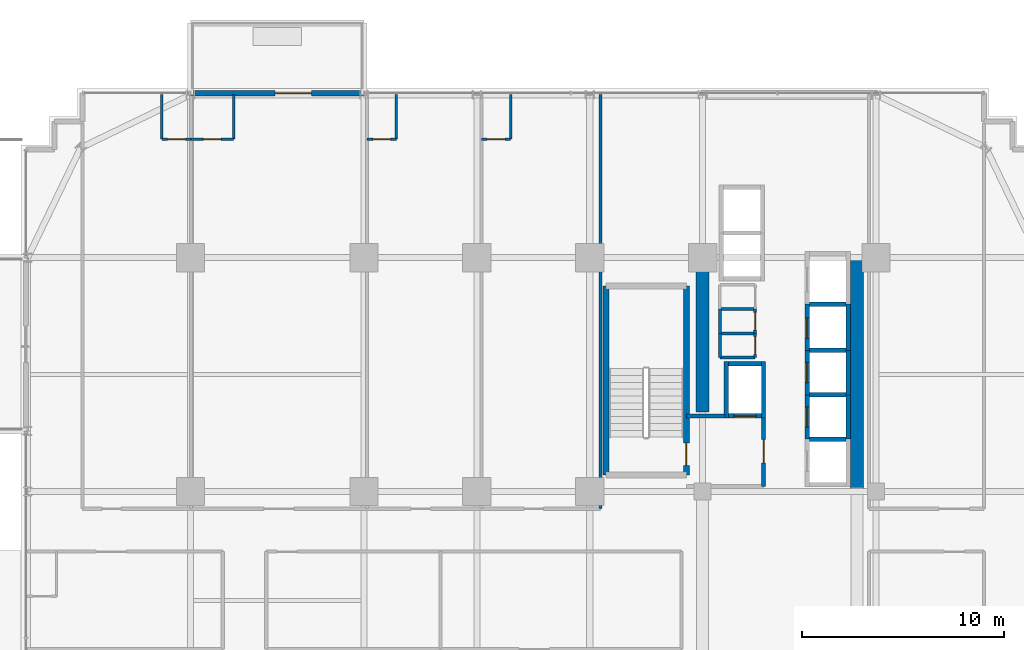
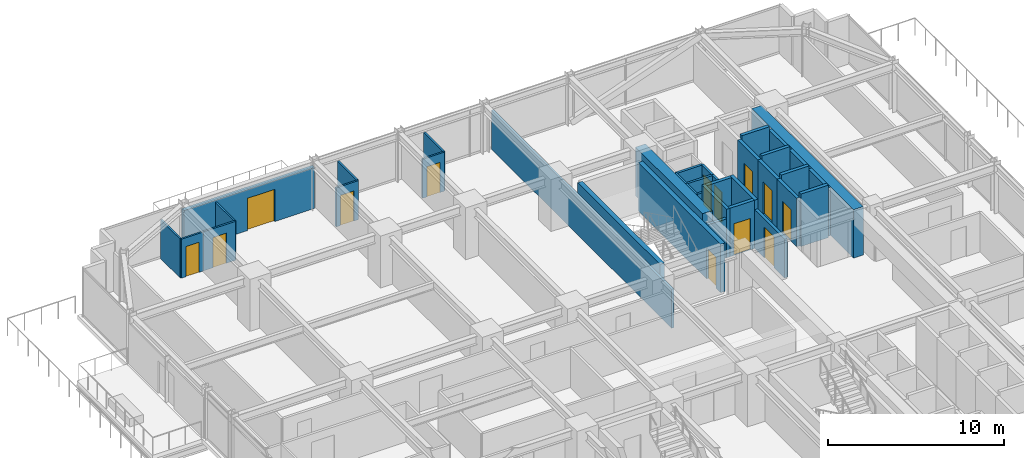
# One storey, part 32 of 39: 37 walls, 13 doors, 13 openings.
"""IFC4 building model written with IfcOpenShell, lengths in metres."""

from ifc_helpers import new_model, si_unit, direction, frame, frame_2d, origin, place, context, subcontext, project, spatial, rectangle, extrude, source, transform, mapped, material, layer, layer_set, type_object, element, fill, save


model = new_model("IFC4")

# Units and contexts
model_context = context("Model", 3, precision=1e-05, world=origin(), true_north=direction((0.0, 1.0)))
body_context = subcontext(model_context, "Body", "Model", "MODEL_VIEW")
ifc_project = project(units=[si_unit("LENGTHUNIT", "METRE"), si_unit("AREAUNIT", "SQUARE_METRE"), si_unit("VOLUMEUNIT", "CUBIC_METRE"), si_unit("PLANEANGLEUNIT", "RADIAN"), si_unit("MASSUNIT", "GRAM", prefix="KILO")], contexts=[model_context])

# Site, building, storey
site_placement = place(None, origin())
site = spatial("IfcSite", under=ifc_project, at=site_placement, CompositionType="ELEMENT")
building_placement = place(site_placement, origin())
building = spatial("IfcBuilding", under=site, at=building_placement, Name="Nahalor Promenade Grand Hotel", CompositionType="ELEMENT")
storey_placement = place(building_placement, frame((0.0, 0.0, 32.39990234375)))
storey = spatial("IfcBuildingStorey", under=building, at=storey_placement, Name="L06", CompositionType="ELEMENT", Elevation=32.39990234375)

# Walls
ifc_material_1 = material(Name="Concrete B-60 (C50/60)", Category="concrete")
ifc_layer_1 = layer(ifc_material_1, 0.64990234375)
ifc_layer_set_1 = layer_set([ifc_layer_1], Name="Concrete B-60 (C50/60)")
wall_type_1 = type_object("IfcWallType", Name="Wall-CoreShear-650", PredefinedType="SHEAR", material=ifc_layer_set_1)
shared_shape_1 = source(origin(), body_context, "Body", "SweptSolid", [
    extrude(rectangle(XDim=7.64990234375, YDim=0.64990234375, at=frame_2d((3.824951171875, 0.0))), origin(), (0.0, 0.0, 1.0), 3.3701171875),
])
wall_1_placement = place(storey_placement, frame((8.39990234375, 9.35009765625, 0.0), z_axis=(0.0, 0.0, 1.0), x_axis=(0.0, 1.0, 0.0)))
element("IfcWall", 1, at=wall_1_placement, inside=storey, type_object=wall_type_1, Name="CWALL-L06-NW", PredefinedType="SHEAR", context=body_context, shape_type="MappedRepresentation", body=[
    mapped(shared_shape_1, transform((0.0, 0.0, 0.0), scale=1.0)),
])
shared_shape_2 = source(origin(), body_context, "Body", "SweptSolid", [
    extrude(rectangle(XDim=11.60009765625, YDim=0.64990234375, at=frame_2d((5.800048828125, 0.0))), origin(), (0.0, 0.0, 1.0), 3.3701171875),
])
wall_2_placement = place(storey_placement, frame((16.050048828125, 5.39990234375, 0.0), z_axis=(0.0, 0.0, 1.0), x_axis=(0.0, 1.0, 0.0)))
element("IfcWall", 2, at=wall_2_placement, inside=storey, type_object=wall_type_1, Name="CWALL-L06-NE", PredefinedType="SHEAR", context=body_context, shape_type="MappedRepresentation", body=[
    mapped(shared_shape_2, transform((0.0, 0.0, 0.0), scale=1.0)),
])
ifc_material_2 = material(Name="Concrete B-50 (C40/50)", Category="concrete")
ifc_layer_2 = layer(ifc_material_2, 0.300048828125)
ifc_layer_set_2 = layer_set([ifc_layer_2], Name="Concrete B-50 (C40/50)")
wall_type_2 = type_object("IfcWallType", Name="Wall-ShaftShear-300", PredefinedType="SHEAR", material=ifc_layer_set_2)
shared_shape_3 = source(origin(), body_context, "Body", "SweptSolid", [
    extrude(rectangle(XDim=9.380126953125, YDim=0.300048828125, at=frame_2d((4.68994140625, 0.0))), origin(), (0.0, 0.0, 1.0), 3.3701171875),
])
wall_3_placement = place(storey_placement, frame((3.610107421875, 6.2099609375, 0.0), z_axis=(0.0, 0.0, 1.0), x_axis=(0.0, 1.0, 0.0)))
element("IfcWall", 3, at=wall_3_placement, inside=storey, type_object=wall_type_2, Name="L06 Exit Stair ST1 Shaft Wall W", PredefinedType="SHEAR", context=body_context, shape_type="MappedRepresentation", body=[
    mapped(shared_shape_3, transform((0.0, 0.0, 0.0), scale=1.0)),
])

# Wall, opening, door
wall_4_placement = place(storey_placement, frame((7.590087890625, 6.2099609375, 0.0), z_axis=(0.0, 0.0, 1.0), x_axis=(0.0, 1.0, 0.0)))
wall_4 = element("IfcWall", 4, at=wall_4_placement, inside=storey, type_object=wall_type_2, Name="L06 Exit Stair ST1 Shaft Wall E", PredefinedType="SHEAR", context=body_context, shape_type="MappedRepresentation", body=[
    mapped(shared_shape_3, transform((0.0, 0.0, 0.0), scale=1.0)),
])
opening_1_placement = place(wall_4_placement, frame((0.489990234375, 0.0, 0.0)))
opening_1 = element("IfcOpeningElement", 5, at=opening_1_placement, cuts=wall_4, Name="Opening D-ST1", PredefinedType="OPENING", context=body_context, shape_type="SweptSolid", body=[
    extrude(rectangle(XDim=1.10009765625, YDim=2.14990234375, at=frame_2d((0.550048828125, 1.074951171875))), frame((0.0, 0.159912109375, 0.0), z_axis=(0.0, -1.0, 0.0), x_axis=(1.0, 0.0, 0.0)), (0.0, 0.0, 1.0), 0.320068359375),
])
ifc_material_3 = material(Name="Steel S355JR", Category="steel")
door_type_1 = type_object("IfcDoorType", Name="Door-StairFire-1100", OperationType="NOTDEFINED", PredefinedType="DOOR", material=ifc_material_3)
shared_shape_4 = source(origin(), body_context, "Body", "SweptSolid", [
    extrude(rectangle(XDim=1.10009765625, YDim=2.14990234375, at=frame_2d((0.550048828125, 1.074951171875))), frame((0.0, 0.02490234375, 0.0), z_axis=(0.0, -1.0, 0.0), x_axis=(1.0, 0.0, 0.0)), (0.0, 0.0, 1.0), 0.050048828125),
])
door_1_placement = place(opening_1_placement, origin())
door_1 = element("IfcDoor", 6, at=door_1_placement, inside=storey, type_object=door_type_1, Name="DR-STAIR-ST1-L06", OperationType="SINGLE_SWING_LEFT", OverallHeight=2.14990234375, OverallWidth=1.10009765625, PredefinedType="DOOR", context=body_context, shape_type="MappedRepresentation", body=[
    mapped(shared_shape_4, transform((0.0, 0.0, 0.0), scale=1.0)),
])
fill(opening_1, door_1)

# Walls
ifc_layer_3 = layer(ifc_material_2, 0.219970703125)
ifc_layer_set_3 = layer_set([ifc_layer_3], Name="Concrete B-50 (C40/50)")
wall_type_3 = type_object("IfcWallType", Name="Wall-LiftShaft-220", PredefinedType="SHEAR", material=ifc_layer_set_3)
shared_shape_5 = source(origin(), body_context, "Body", "SweptSolid", [
    extrude(rectangle(XDim=1.820068359375, YDim=0.219970703125, at=frame_2d((0.91015625, 0.0))), origin(), (0.0, 0.0, 1.0), 3.650146484375),
])
for number, where, z_axis, x_axis, name in (
    (7, (13.68994140625, 8.0, 0.0), (0.0, 0.0, 1.0), (1.0, 0.0, 0.0), "L06 Lift PL1 Hoistway Wall N"),
    (8, (13.68994140625, 10.199951171875, 0.0), (0.0, 0.0, 1.0), (1.0, 0.0, 0.0), "L06 Lift PL2 Hoistway Wall N"),
    (9, (13.68994140625, 12.39990234375, 0.0), (0.0, 0.0, 1.0), (1.0, 0.0, 0.0), "L06 Lift PL3 Hoistway Wall N"),
    (10, (13.68994140625, 14.699951171875, 0.0), (0.0, 0.0, 1.0), (1.0, 0.0, 0.0), "L06 Lift PL4 Hoistway Wall N"),
):
    element("IfcWall", number, at=place(storey_placement, frame(where, z_axis=z_axis, x_axis=x_axis)), inside=storey, type_object=wall_type_3, Name=name, PredefinedType="SHEAR", context=body_context, shape_type="MappedRepresentation", body=[
        mapped(shared_shape_5, transform((0.0, 0.0, 0.0), scale=1.0)),
    ])

# Wall, opening, door
shared_shape_6 = source(origin(), body_context, "Body", "SweptSolid", [
    extrude(rectangle(XDim=2.199951171875, YDim=0.219970703125, at=frame_2d((1.10009765625, 0.0))), origin(), (0.0, 0.0, 1.0), 3.3701171875),
])
wall_5_placement = place(storey_placement, frame((13.580078125, 8.0, 0.0), z_axis=(0.0, 0.0, 1.0), x_axis=(0.0, 1.0, 0.0)))
wall_5 = element("IfcWall", 11, at=wall_5_placement, inside=storey, type_object=wall_type_3, Name="L06 Lift PL2 Hoistway Wall W", PredefinedType="SHEAR", context=body_context, shape_type="MappedRepresentation", body=[
    mapped(shared_shape_6, transform((0.0, 0.0, 0.0), scale=1.0)),
])
opening_2_placement = place(wall_5_placement, frame((0.60009765625, 0.0, 0.0)))
opening_2 = element("IfcOpeningElement", 12, at=opening_2_placement, cuts=wall_5, Name="Opening LD-01", PredefinedType="OPENING", context=body_context, shape_type="SweptSolid", body=[
    extrude(rectangle(XDim=1.0, YDim=2.199951171875, at=frame_2d((0.5, 1.10009765625))), frame((0.0, 0.119873046875, 0.0), z_axis=(0.0, -1.0, 0.0), x_axis=(1.0, 0.0, 0.0)), (0.0, 0.0, 1.0), 0.239990234375),
])
door_type_2 = type_object("IfcDoorType", Name="Door-LiftLanding-1000", OperationType="DOUBLE_DOOR_SLIDING", PredefinedType="DOOR", material=ifc_material_3)
shared_shape_7 = source(origin(), body_context, "Body", "SweptSolid", [
    extrude(rectangle(XDim=1.0, YDim=2.199951171875, at=frame_2d((0.5, 1.10009765625))), frame((0.0, 0.02490234375, 0.0), z_axis=(0.0, -1.0, 0.0), x_axis=(1.0, 0.0, 0.0)), (0.0, 0.0, 1.0), 0.050048828125),
])
door_2_placement = place(opening_2_placement, origin())
door_2 = element("IfcDoor", 13, at=door_2_placement, inside=storey, type_object=door_type_2, Name="DR-LIFT-PL2-L06", OperationType="DOUBLE_DOOR_SLIDING", OverallHeight=2.199951171875, OverallWidth=1.0, PredefinedType="DOOR", context=body_context, shape_type="MappedRepresentation", body=[
    mapped(shared_shape_7, transform((0.0, 0.0, 0.0), scale=1.0)),
])
fill(opening_2, door_2)

# Wall
wall_6_placement = place(storey_placement, frame((15.6201171875, 8.0, 0.0), z_axis=(0.0, 0.0, 1.0), x_axis=(0.0, 1.0, 0.0)))
element("IfcWall", 14, at=wall_6_placement, inside=storey, type_object=wall_type_3, Name="L06 Lift PL2 Hoistway Wall E", PredefinedType="SHEAR", context=body_context, shape_type="MappedRepresentation", body=[
    mapped(shared_shape_6, transform((0.0, 0.0, 0.0), scale=1.0)),
])

# Wall, opening, door
wall_7_placement = place(storey_placement, frame((13.580078125, 10.199951171875, 0.0), z_axis=(0.0, 0.0, 1.0), x_axis=(0.0, 1.0, 0.0)))
wall_7 = element("IfcWall", 15, at=wall_7_placement, inside=storey, type_object=wall_type_3, Name="L06 Lift PL3 Hoistway Wall W", PredefinedType="SHEAR", context=body_context, shape_type="MappedRepresentation", body=[
    mapped(shared_shape_6, transform((0.0, 0.0, 0.0), scale=1.0)),
])
opening_3_placement = place(wall_7_placement, frame((0.60009765625, 0.0, 0.0)))
opening_3 = element("IfcOpeningElement", 16, at=opening_3_placement, cuts=wall_7, Name="Opening LD-01", PredefinedType="OPENING", context=body_context, shape_type="SweptSolid", body=[
    extrude(rectangle(XDim=1.0, YDim=2.199951171875, at=frame_2d((0.5, 1.10009765625))), frame((0.0, 0.119873046875, 0.0), z_axis=(0.0, -1.0, 0.0), x_axis=(1.0, 0.0, 0.0)), (0.0, 0.0, 1.0), 0.239990234375),
])
door_3_placement = place(opening_3_placement, origin())
door_3 = element("IfcDoor", 17, at=door_3_placement, inside=storey, type_object=door_type_2, Name="DR-LIFT-PL3-L06", OperationType="DOUBLE_DOOR_SLIDING", OverallHeight=2.199951171875, OverallWidth=1.0, PredefinedType="DOOR", context=body_context, shape_type="MappedRepresentation", body=[
    mapped(shared_shape_7, transform((0.0, 0.0, 0.0), scale=1.0)),
])
fill(opening_3, door_3)

# Wall
wall_8_placement = place(storey_placement, frame((15.6201171875, 10.199951171875, 0.0), z_axis=(0.0, 0.0, 1.0), x_axis=(0.0, 1.0, 0.0)))
element("IfcWall", 18, at=wall_8_placement, inside=storey, type_object=wall_type_3, Name="L06 Lift PL3 Hoistway Wall E", PredefinedType="SHEAR", context=body_context, shape_type="MappedRepresentation", body=[
    mapped(shared_shape_6, transform((0.0, 0.0, 0.0), scale=1.0)),
])

# Wall, opening, door
shared_shape_8 = source(origin(), body_context, "Body", "SweptSolid", [
    extrude(rectangle(XDim=2.300048828125, YDim=0.219970703125, at=frame_2d((1.14990234375, 0.0))), origin(), (0.0, 0.0, 1.0), 3.3701171875),
])
wall_9_placement = place(storey_placement, frame((13.580078125, 12.39990234375, 0.0), z_axis=(0.0, 0.0, 1.0), x_axis=(0.0, 1.0, 0.0)))
wall_9 = element("IfcWall", 19, at=wall_9_placement, inside=storey, type_object=wall_type_3, Name="L06 Lift PL4 Hoistway Wall W", PredefinedType="SHEAR", context=body_context, shape_type="MappedRepresentation", body=[
    mapped(shared_shape_8, transform((0.0, 0.0, 0.0), scale=1.0)),
])
opening_4_placement = place(wall_9_placement, frame((0.60009765625, 0.0, 0.0)))
opening_4 = element("IfcOpeningElement", 20, at=opening_4_placement, cuts=wall_9, Name="Opening LD-01", PredefinedType="OPENING", context=body_context, shape_type="SweptSolid", body=[
    extrude(rectangle(XDim=1.0, YDim=2.199951171875, at=frame_2d((0.5, 1.10009765625))), frame((0.0, 0.119873046875, 0.0), z_axis=(0.0, -1.0, 0.0), x_axis=(1.0, 0.0, 0.0)), (0.0, 0.0, 1.0), 0.239990234375),
])
door_4_placement = place(opening_4_placement, origin())
door_4 = element("IfcDoor", 21, at=door_4_placement, inside=storey, type_object=door_type_2, Name="DR-LIFT-PL4-L06", OperationType="DOUBLE_DOOR_SLIDING", OverallHeight=2.199951171875, OverallWidth=1.0, PredefinedType="DOOR", context=body_context, shape_type="MappedRepresentation", body=[
    mapped(shared_shape_7, transform((0.0, 0.0, 0.0), scale=1.0)),
])
fill(opening_4, door_4)

# Walls
wall_10_placement = place(storey_placement, frame((15.6201171875, 12.39990234375, 0.0), z_axis=(0.0, 0.0, 1.0), x_axis=(0.0, 1.0, 0.0)))
element("IfcWall", 22, at=wall_10_placement, inside=storey, type_object=wall_type_3, Name="L06 Lift PL4 Hoistway Wall E", PredefinedType="SHEAR", context=body_context, shape_type="MappedRepresentation", body=[
    mapped(shared_shape_8, transform((0.0, 0.0, 0.0), scale=1.0)),
])
shared_shape_9 = source(origin(), body_context, "Body", "SweptSolid", [
    extrude(rectangle(XDim=2.820068359375, YDim=0.219970703125, at=frame_2d((1.41015625, 0.0))), origin(), (0.0, 0.0, 1.0), 3.3701171875),
])
for number, where, z_axis, x_axis, name in (
    (23, (9.580078125, 9.0400390625, 0.0), (0.0, 0.0, 1.0), (0.0, 1.0, 0.0), "L06 Lift FL1 Hoistway Wall W"),
    (24, (11.419921875, 9.0400390625, 0.0), (0.0, 0.0, 1.0), (0.0, 1.0, 0.0), "L06 Lift FL1 Hoistway Wall E"),
):
    element("IfcWall", number, at=place(storey_placement, frame(where, z_axis=z_axis, x_axis=x_axis)), inside=storey, type_object=wall_type_3, Name=name, PredefinedType="SHEAR", context=body_context, shape_type="MappedRepresentation", body=[
        mapped(shared_shape_9, transform((0.0, 0.0, 0.0), scale=1.0)),
    ])

# Wall, opening, door
shared_shape_10 = source(origin(), body_context, "Body", "SweptSolid", [
    extrude(rectangle(XDim=1.6201171875, YDim=0.219970703125, at=frame_2d((0.81005859375, 0.0))), origin(), (0.0, 0.0, 1.0), 3.3701171875),
])
wall_11_placement = place(storey_placement, frame((9.68994140625, 9.14990234375, 0.0), z_axis=(0.0, 0.0, 1.0), x_axis=(1.0, 0.0, 0.0)))
wall_11 = element("IfcWall", 25, at=wall_11_placement, inside=storey, type_object=wall_type_3, Name="L06 Lift FL1 Hoistway Wall S", PredefinedType="SHEAR", context=body_context, shape_type="MappedRepresentation", body=[
    mapped(shared_shape_10, transform((0.0, 0.0, 0.0), scale=1.0)),
])
opening_5_placement = place(wall_11_placement, frame((0.260009765625, 0.0, 0.0)))
opening_5 = element("IfcOpeningElement", 26, at=opening_5_placement, cuts=wall_11, Name="Opening LD-02", PredefinedType="OPENING", context=body_context, shape_type="SweptSolid", body=[
    extrude(rectangle(XDim=1.10009765625, YDim=2.199951171875, at=frame_2d((0.550048828125, 1.10009765625))), frame((0.0, 0.119873046875, 0.0), z_axis=(0.0, -1.0, 0.0), x_axis=(1.0, 0.0, 0.0)), (0.0, 0.0, 1.0), 0.239990234375),
])
door_type_3 = type_object("IfcDoorType", Name="Door-LiftFF-1100", OperationType="DOUBLE_DOOR_SLIDING", PredefinedType="DOOR", material=ifc_material_3)
shared_shape_11 = source(origin(), body_context, "Body", "SweptSolid", [
    extrude(rectangle(XDim=1.10009765625, YDim=2.199951171875, at=frame_2d((0.550048828125, 1.10009765625))), frame((0.0, 0.02490234375, 0.0), z_axis=(0.0, -1.0, 0.0), x_axis=(1.0, 0.0, 0.0)), (0.0, 0.0, 1.0), 0.050048828125),
])
door_5_placement = place(opening_5_placement, frame((1.10009765625, 0.0, 0.0), z_axis=(0.0, 0.0, 1.0), x_axis=(-1.0, 0.0, 0.0)))
door_5 = element("IfcDoor", 27, at=door_5_placement, inside=storey, type_object=door_type_3, Name="DR-LIFT-FL1-L06", OperationType="DOUBLE_DOOR_SLIDING", OverallHeight=2.199951171875, OverallWidth=1.10009765625, PredefinedType="DOOR", context=body_context, shape_type="MappedRepresentation", body=[
    mapped(shared_shape_11, transform((0.0, 0.0, 0.0), scale=1.0)),
])
fill(opening_5, door_5)

# Wall
wall_12_placement = place(storey_placement, frame((9.68994140625, 11.75, 0.0), z_axis=(0.0, 0.0, 1.0), x_axis=(1.0, 0.0, 0.0)))
element("IfcWall", 28, at=wall_12_placement, inside=storey, type_object=wall_type_3, Name="L06 Lift FL1 Hoistway Wall N", PredefinedType="SHEAR", context=body_context, shape_type="MappedRepresentation", body=[
    mapped(shared_shape_10, transform((0.0, 0.0, 0.0), scale=1.0)),
])

# Wall, opening, door
ifc_material_4 = material(Name="Concrete B-40 (C32/40)", Category="concrete")
ifc_layer_4 = layer(ifc_material_4, 0.260009765625)
ifc_layer_set_4 = layer_set([ifc_layer_4], Name="Concrete B-40 (C32/40)")
wall_type_4 = type_object("IfcWallType", Name="Wall-BalconyWall-260", PredefinedType="STANDARD", material=ifc_layer_set_4)
shared_shape_12 = source(origin(), body_context, "Body", "SweptSolid", [
    extrude(rectangle(XDim=8.60009765625, YDim=0.260009765625, at=frame_2d((4.300048828125, 0.0))), origin(), (0.0, 0.0, 1.0), 2.85009765625),
])
wall_13_placement = place(storey_placement, frame((-17.0, 25.159912109375, 0.0), z_axis=(0.0, 0.0, 1.0), x_axis=(1.0, 0.0, 0.0)))
wall_13 = element("IfcWall", 29, at=wall_13_placement, inside=storey, type_object=wall_type_4, Name="W-L06-BALC-N-2", PredefinedType="STANDARD", context=body_context, shape_type="MappedRepresentation", body=[
    mapped(shared_shape_12, transform((0.0, 0.0, 0.0), scale=1.0)),
])
opening_6_placement = place(wall_13_placement, frame((4.19091796875, 0.0, 0.0)))
opening_6 = element("IfcOpeningElement", 30, at=opening_6_placement, cuts=wall_13, Name="Opening D-BC1", PredefinedType="OPENING", context=body_context, shape_type="SweptSolid", body=[
    extrude(rectangle(XDim=1.800048828125, YDim=2.25, at=frame_2d((0.89990234375, 1.125))), frame((0.0, 0.139892578125, 0.0), z_axis=(0.0, -1.0, 0.0), x_axis=(1.0, 0.0, 0.0)), (0.0, 0.0, 1.0), 0.280029296875),
])
ifc_material_5 = material(Name="Anodised Bronze Aluminium EN AW-6063 T6", Category="aluminium")
door_type_4 = type_object("IfcDoorType", Name="Door-BalconySlide-1800", OperationType="DOUBLE_DOOR_SLIDING", PredefinedType="DOOR", material=ifc_material_5)
shared_shape_13 = source(origin(), body_context, "Body", "SweptSolid", [
    extrude(rectangle(XDim=1.800048828125, YDim=2.25, at=frame_2d((0.89990234375, 1.125))), frame((0.0, 0.02490234375, 0.0), z_axis=(0.0, -1.0, 0.0), x_axis=(1.0, 0.0, 0.0)), (0.0, 0.0, 1.0), 0.050048828125),
])
door_6_placement = place(opening_6_placement, origin())
door_6 = element("IfcDoor", 31, at=door_6_placement, inside=storey, type_object=door_type_4, Name="DR-L06-BALC-N-2", OperationType="DOUBLE_DOOR_SLIDING", OverallHeight=2.25, OverallWidth=1.800048828125, PredefinedType="DOOR", context=body_context, shape_type="MappedRepresentation", body=[
    mapped(shared_shape_13, transform((0.0, 0.0, 0.0), scale=1.0)),
])
fill(opening_6, door_6)

# Wall
ifc_layer_5 = layer(ifc_material_4, 0.199951171875)
ifc_layer_set_5 = layer_set([ifc_layer_5], Name="Concrete B-40 (C32/40)")
wall_type_5 = type_object("IfcWallType", Name="Wall-PartFire-200", PredefinedType="PARTITIONING", material=ifc_layer_set_5)
shared_shape_14 = source(origin(), body_context, "Body", "SweptSolid", [
    extrude(rectangle(XDim=1.89990234375, YDim=0.199951171875, at=frame_2d((0.949951171875, 0.0))), origin(), (0.0, 0.0, 1.0), 2.710205078125),
])
wall_14_placement = place(storey_placement, frame((7.60009765625, 9.14990234375, 0.0), z_axis=(0.0, 0.0, 1.0), x_axis=(1.0, 0.0, 0.0)))
element("IfcWall", 32, at=wall_14_placement, inside=storey, type_object=wall_type_5, Name="W-L06-FF1-N", PredefinedType="PARTITIONING", context=body_context, shape_type="MappedRepresentation", body=[
    mapped(shared_shape_14, transform((0.0, 0.0, 0.0), scale=1.0)),
])

# Wall, opening, door
shared_shape_15 = source(origin(), body_context, "Body", "SweptSolid", [
    extrude(rectangle(XDim=3.5, YDim=0.199951171875, at=frame_2d((1.75, 0.0))), origin(), (0.0, 0.0, 1.0), 2.710205078125),
])
wall_15_placement = place(storey_placement, frame((11.419921875, 5.64990234375, 0.0), z_axis=(0.0, 0.0, 1.0), x_axis=(0.0, 1.0, 0.0)))
wall_15 = element("IfcWall", 33, at=wall_15_placement, inside=storey, type_object=wall_type_5, Name="W-L06-FF1-E", PredefinedType="PARTITIONING", context=body_context, shape_type="MappedRepresentation", body=[
    mapped(shared_shape_15, transform((0.0, 0.0, 0.0), scale=1.0)),
])
opening_7_placement = place(wall_15_placement, frame((1.175048828125, 0.0, 0.0)))
opening_7 = element("IfcOpeningElement", 34, at=opening_7_placement, cuts=wall_15, Name="Opening D-FF1", PredefinedType="OPENING", context=body_context, shape_type="SweptSolid", body=[
    extrude(rectangle(XDim=1.14990234375, YDim=2.14990234375, at=frame_2d((0.574951171875, 1.074951171875))), frame((0.0, 0.10986328125, 0.0), z_axis=(0.0, -1.0, 0.0), x_axis=(1.0, 0.0, 0.0)), (0.0, 0.0, 1.0), 0.219970703125),
])
door_type_5 = type_object("IfcDoorType", Name="Door-FFLobby-1150", OperationType="NOTDEFINED", PredefinedType="DOOR", material=ifc_material_3)
shared_shape_16 = source(origin(), body_context, "Body", "SweptSolid", [
    extrude(rectangle(XDim=1.14990234375, YDim=2.14990234375, at=frame_2d((0.574951171875, 1.074951171875))), frame((0.0, 0.02490234375, 0.0), z_axis=(0.0, -1.0, 0.0), x_axis=(1.0, 0.0, 0.0)), (0.0, 0.0, 1.0), 0.050048828125),
])
door_7_placement = place(opening_7_placement, frame((1.14990234375, 0.0, 0.0), z_axis=(0.0, 0.0, 1.0), x_axis=(-1.0, 0.0, 0.0)))
door_7 = element("IfcDoor", 35, at=door_7_placement, inside=storey, type_object=door_type_5, Name="DR-L06-FFL1", OperationType="SINGLE_SWING_LEFT", OverallHeight=2.14990234375, OverallWidth=1.14990234375, PredefinedType="DOOR", context=body_context, shape_type="MappedRepresentation", body=[
    mapped(shared_shape_16, transform((0.0, 0.0, 0.0), scale=1.0)),
])
fill(opening_7, door_7)

# Walls
ifc_material_6 = material(Name="Acoustic Mineral Gypsum", Category="gypsum")
ifc_layer_6 = layer(ifc_material_6, 0.14990234375)
ifc_layer_set_6 = layer_set([ifc_layer_6], Name="Acoustic Mineral Gypsum")
wall_type_6 = type_object("IfcWallType", Name="Wall-PartService-150", PredefinedType="PARTITIONING", material=ifc_layer_set_6)
shared_shape_17 = source(origin(), body_context, "Body", "SweptSolid", [
    extrude(rectangle(XDim=1.75, YDim=0.14990234375, at=frame_2d((0.875, 0.0))), origin(), (0.0, 0.0, 1.0), 2.710205078125),
])
for number, where, z_axis, x_axis, name in (
    (36, (9.25, 12.050048828125, 0.0), (0.0, 0.0, 1.0), (1.0, 0.0, 0.0), "W-L06-CK3A-S"),
    (37, (9.25, 13.25, 0.0), (0.0, 0.0, 1.0), (1.0, 0.0, 0.0), "W-L06-CK3A-N"),
    (38, (9.25, 14.449951171875, 0.0), (0.0, 0.0, 1.0), (1.0, 0.0, 0.0), "W-L06-CK3B-N"),
):
    element("IfcWall", number, at=place(storey_placement, frame(where, z_axis=z_axis, x_axis=x_axis)), inside=storey, type_object=wall_type_6, Name=name, PredefinedType="PARTITIONING", context=body_context, shape_type="MappedRepresentation", body=[
        mapped(shared_shape_17, transform((0.0, 0.0, 0.0), scale=1.0)),
    ])
shared_shape_18 = source(origin(), body_context, "Body", "SweptSolid", [
    extrude(rectangle(XDim=1.199951171875, YDim=0.14990234375, at=frame_2d((0.60009765625, 0.0))), origin(), (0.0, 0.0, 1.0), 2.710205078125),
])
wall_16_placement = place(storey_placement, frame((9.25, 12.050048828125, 0.0), z_axis=(0.0, 0.0, 1.0), x_axis=(0.0, 1.0, 0.0)))
element("IfcWall", 39, at=wall_16_placement, inside=storey, type_object=wall_type_6, Name="W-L06-CK3A-W", PredefinedType="PARTITIONING", context=body_context, shape_type="MappedRepresentation", body=[
    mapped(shared_shape_18, transform((0.0, 0.0, 0.0), scale=1.0)),
])

# Wall, opening, door
wall_17_placement = place(storey_placement, frame((11.0, 12.050048828125, 0.0), z_axis=(0.0, 0.0, 1.0), x_axis=(0.0, 1.0, 0.0)))
wall_17 = element("IfcWall", 40, at=wall_17_placement, inside=storey, type_object=wall_type_6, Name="W-L06-CK3A-E", PredefinedType="PARTITIONING", context=body_context, shape_type="MappedRepresentation", body=[
    mapped(shared_shape_18, transform((0.0, 0.0, 0.0), scale=1.0)),
])
opening_8_placement = place(wall_17_placement, frame((0.159912109375, 0.0, 0.0)))
opening_8 = element("IfcOpeningElement", 41, at=opening_8_placement, cuts=wall_17, Name="Opening D-03", PredefinedType="OPENING", context=body_context, shape_type="SweptSolid", body=[
    extrude(rectangle(XDim=0.8798828125, YDim=2.10009765625, at=frame_2d((0.43994140625, 1.050048828125))), frame((0.0, 0.0849609375, 0.0), z_axis=(0.0, -1.0, 0.0), x_axis=(1.0, 0.0, 0.0)), (0.0, 0.0, 1.0), 0.169921875),
])
ifc_material_7 = material(Name="Fire-Rated Timber Composite", Category="wood")
door_type_6 = type_object("IfcDoorType", Name="Door-BathSwing-880", OperationType="NOTDEFINED", PredefinedType="DOOR", material=ifc_material_7)
shared_shape_19 = source(origin(), body_context, "Body", "SweptSolid", [
    extrude(rectangle(XDim=0.8798828125, YDim=2.10009765625, at=frame_2d((0.43994140625, 1.050048828125))), frame((0.0, 0.02490234375, 0.0), z_axis=(0.0, -1.0, 0.0), x_axis=(1.0, 0.0, 0.0)), (0.0, 0.0, 1.0), 0.050048828125),
])
door_8_placement = place(opening_8_placement, origin())
door_8 = element("IfcDoor", 42, at=door_8_placement, inside=storey, type_object=door_type_6, Name="DR-L06-CK3A", OperationType="SINGLE_SWING_LEFT", OverallHeight=2.10009765625, OverallWidth=0.8798828125, PredefinedType="DOOR", context=body_context, shape_type="MappedRepresentation", body=[
    mapped(shared_shape_19, transform((0.0, 0.0, 0.0), scale=1.0)),
])
fill(opening_8, door_8)

# Wall
wall_18_placement = place(storey_placement, frame((9.25, 13.25, 0.0), z_axis=(0.0, 0.0, 1.0), x_axis=(0.0, 1.0, 0.0)))
element("IfcWall", 43, at=wall_18_placement, inside=storey, type_object=wall_type_6, Name="W-L06-CK3B-W", PredefinedType="PARTITIONING", context=body_context, shape_type="MappedRepresentation", body=[
    mapped(shared_shape_18, transform((0.0, 0.0, 0.0), scale=1.0)),
])

# Wall, opening, door
wall_19_placement = place(storey_placement, frame((11.0, 13.25, 0.0), z_axis=(0.0, 0.0, 1.0), x_axis=(0.0, 1.0, 0.0)))
wall_19 = element("IfcWall", 44, at=wall_19_placement, inside=storey, type_object=wall_type_6, Name="W-L06-CK3B-E", PredefinedType="PARTITIONING", context=body_context, shape_type="MappedRepresentation", body=[
    mapped(shared_shape_18, transform((0.0, 0.0, 0.0), scale=1.0)),
])
opening_9_placement = place(wall_19_placement, frame((0.159912109375, 0.0, 0.0)))
opening_9 = element("IfcOpeningElement", 45, at=opening_9_placement, cuts=wall_19, Name="Opening D-03", PredefinedType="OPENING", context=body_context, shape_type="SweptSolid", body=[
    extrude(rectangle(XDim=0.8798828125, YDim=2.10009765625, at=frame_2d((0.43994140625, 1.050048828125))), frame((0.0, 0.0849609375, 0.0), z_axis=(0.0, -1.0, 0.0), x_axis=(1.0, 0.0, 0.0)), (0.0, 0.0, 1.0), 0.169921875),
])
door_9_placement = place(opening_9_placement, origin())
door_9 = element("IfcDoor", 46, at=door_9_placement, inside=storey, type_object=door_type_6, Name="DR-L06-CK3B", OperationType="SINGLE_SWING_RIGHT", OverallHeight=2.10009765625, OverallWidth=0.8798828125, PredefinedType="DOOR", context=body_context, shape_type="MappedRepresentation", body=[
    mapped(shared_shape_19, transform((0.0, 0.0, 0.0), scale=1.0)),
])
fill(opening_9, door_9)

# Wall
ifc_layer_7 = layer(ifc_material_6, 0.139892578125)
ifc_layer_set_7 = layer_set([ifc_layer_7], Name="Acoustic Mineral Gypsum")
wall_type_7 = type_object("IfcWallType", Name="Wall-PartSuite-140", PredefinedType="PARTITIONING", material=ifc_layer_set_7)
shared_shape_20 = source(origin(), body_context, "Body", "SweptSolid", [
    extrude(rectangle(XDim=20.550048828125, YDim=0.139892578125, at=frame_2d((10.27490234375, 0.0))), origin(), (0.0, 0.0, 1.0), 2.710205078125),
])
wall_20_placement = place(storey_placement, frame((3.340087890625, 4.550048828125, 0.0), z_axis=(0.0, 0.0, 1.0), x_axis=(0.0, 1.0, 0.0)))
element("IfcWall", 47, at=wall_20_placement, inside=storey, type_object=wall_type_7, Name="W-L06-NW-ENDE", PredefinedType="PARTITIONING", context=body_context, shape_type="MappedRepresentation", body=[
    mapped(shared_shape_20, transform((0.0, 0.0, 0.0), scale=1.0)),
])

# Wall, opening, door
ifc_layer_8 = layer(ifc_material_6, 0.1201171875)
ifc_layer_set_8 = layer_set([ifc_layer_8], Name="Acoustic Mineral Gypsum")
wall_type_8 = type_object("IfcWallType", Name="Wall-PartBath-120", PredefinedType="PARTITIONING", material=ifc_layer_set_8)
shared_shape_21 = source(origin(), body_context, "Body", "SweptSolid", [
    extrude(rectangle(XDim=1.449951171875, YDim=0.1201171875, at=frame_2d((0.72509765625, 0.0))), origin(), (0.0, 0.0, 1.0), 2.710205078125),
])
wall_21_placement = place(storey_placement, frame((-18.427978515625, 22.8798828125, 0.0), z_axis=(0.0, 0.0, 1.0), x_axis=(1.0, 0.0, 0.0)))
wall_21 = element("IfcWall", 48, at=wall_21_placement, inside=storey, type_object=wall_type_8, Name="W-L06-N1-BH", PredefinedType="PARTITIONING", context=body_context, shape_type="MappedRepresentation", body=[
    mapped(shared_shape_21, transform((0.0, 0.0, 0.0), scale=1.0)),
])
opening_10_placement = place(wall_21_placement, frame((0.284912109375, 0.0, 0.0)))
opening_10 = element("IfcOpeningElement", 49, at=opening_10_placement, cuts=wall_21, Name="Opening D-03", PredefinedType="OPENING", context=body_context, shape_type="SweptSolid", body=[
    extrude(rectangle(XDim=0.8798828125, YDim=2.10009765625, at=frame_2d((0.43994140625, 1.050048828125))), frame((0.0, 0.070068359375, 0.0), z_axis=(0.0, -1.0, 0.0), x_axis=(1.0, 0.0, 0.0)), (0.0, 0.0, 1.0), 0.14013671875),
])
door_10_placement = place(opening_10_placement, origin())
door_10 = element("IfcDoor", 50, at=door_10_placement, inside=storey, type_object=door_type_6, Name="DR-L06-N1-BATH", OperationType="SINGLE_SWING_RIGHT", OverallHeight=2.10009765625, OverallWidth=0.8798828125, PredefinedType="DOOR", context=body_context, shape_type="MappedRepresentation", body=[
    mapped(shared_shape_19, transform((0.0, 0.0, 0.0), scale=1.0)),
])
fill(opening_10, door_10)

wall_22_placement = place(storey_placement, frame((-2.571044921875, 22.8798828125, 0.0), z_axis=(0.0, 0.0, 1.0), x_axis=(1.0, 0.0, 0.0)))
wall_22 = element("IfcWall", 51, at=wall_22_placement, inside=storey, type_object=wall_type_8, Name="W-L06-N4-BH", PredefinedType="PARTITIONING", context=body_context, shape_type="MappedRepresentation", body=[
    mapped(shared_shape_21, transform((0.0, 0.0, 0.0), scale=1.0)),
])
opening_11_placement = place(wall_22_placement, frame((0.284912109375, 0.0, 0.0)))
opening_11 = element("IfcOpeningElement", 52, at=opening_11_placement, cuts=wall_22, Name="Opening D-03", PredefinedType="OPENING", context=body_context, shape_type="SweptSolid", body=[
    extrude(rectangle(XDim=0.8798828125, YDim=2.10009765625, at=frame_2d((0.43994140625, 1.050048828125))), frame((0.0, 0.070068359375, 0.0), z_axis=(0.0, -1.0, 0.0), x_axis=(1.0, 0.0, 0.0)), (0.0, 0.0, 1.0), 0.14013671875),
])
door_11_placement = place(opening_11_placement, origin())
door_11 = element("IfcDoor", 53, at=door_11_placement, inside=storey, type_object=door_type_6, Name="DR-L06-N4-BATH", OperationType="SINGLE_SWING_LEFT", OverallHeight=2.10009765625, OverallWidth=0.8798828125, PredefinedType="DOOR", context=body_context, shape_type="MappedRepresentation", body=[
    mapped(shared_shape_19, transform((0.0, 0.0, 0.0), scale=1.0)),
])
fill(opening_11, door_11)

# Walls
shared_shape_22 = source(origin(), body_context, "Body", "SweptSolid", [
    extrude(rectangle(XDim=2.22021484375, YDim=0.1201171875, at=frame_2d((1.110107421875, 0.0))), origin(), (0.0, 0.0, 1.0), 2.710205078125),
])
for number, where, z_axis, x_axis, name in (
    (54, (-18.427978515625, 22.8798828125, 0.0), (0.0, 0.0, 1.0), (0.0, 1.0, 0.0), "W-L06-N1-BV"),
    (55, (-14.867919921875, 22.8798828125, 0.0), (0.0, 0.0, 1.0), (0.0, 1.0, 0.0), "W-L06-N2-BV"),
    (56, (-6.7958984375, 22.8798828125, 0.0), (0.0, 0.0, 1.0), (0.0, 1.0, 0.0), "W-L06-N3-BV"),
    (57, (-1.12109375, 22.8798828125, 0.0), (0.0, 0.0, 1.0), (0.0, 1.0, 0.0), "W-L06-N4-BV"),
):
    element("IfcWall", number, at=place(storey_placement, frame(where, z_axis=z_axis, x_axis=x_axis)), inside=storey, type_object=wall_type_8, Name=name, PredefinedType="PARTITIONING", context=body_context, shape_type="MappedRepresentation", body=[
        mapped(shared_shape_22, transform((0.0, 0.0, 0.0), scale=1.0)),
    ])

# Wall, opening, door
shared_shape_23 = source(origin(), body_context, "Body", "SweptSolid", [
    extrude(rectangle(XDim=2.110107421875, YDim=0.1201171875, at=frame_2d((1.05517578125, 0.0))), origin(), (0.0, 0.0, 1.0), 2.710205078125),
])
wall_23_placement = place(storey_placement, frame((-16.97802734375, 22.8798828125, 0.0), z_axis=(0.0, 0.0, 1.0), x_axis=(1.0, 0.0, 0.0)))
wall_23 = element("IfcWall", 58, at=wall_23_placement, inside=storey, type_object=wall_type_8, Name="W-L06-N2-BH", PredefinedType="PARTITIONING", context=body_context, shape_type="MappedRepresentation", body=[
    mapped(shared_shape_23, transform((0.0, 0.0, 0.0), scale=1.0)),
])
opening_12_placement = place(wall_23_placement, frame((0.614990234375, 0.0, 0.0)))
opening_12 = element("IfcOpeningElement", 59, at=opening_12_placement, cuts=wall_23, Name="Opening D-03", PredefinedType="OPENING", context=body_context, shape_type="SweptSolid", body=[
    extrude(rectangle(XDim=0.8798828125, YDim=2.10009765625, at=frame_2d((0.43994140625, 1.050048828125))), frame((0.0, 0.070068359375, 0.0), z_axis=(0.0, -1.0, 0.0), x_axis=(1.0, 0.0, 0.0)), (0.0, 0.0, 1.0), 0.14013671875),
])
door_12_placement = place(opening_12_placement, origin())
door_12 = element("IfcDoor", 60, at=door_12_placement, inside=storey, type_object=door_type_6, Name="DR-L06-N2-BATH", OperationType="SINGLE_SWING_RIGHT", OverallHeight=2.10009765625, OverallWidth=0.8798828125, PredefinedType="DOOR", context=body_context, shape_type="MappedRepresentation", body=[
    mapped(shared_shape_19, transform((0.0, 0.0, 0.0), scale=1.0)),
])
fill(opening_12, door_12)

shared_shape_24 = source(origin(), body_context, "Body", "SweptSolid", [
    extrude(rectangle(XDim=1.4501953125, YDim=0.1201171875, at=frame_2d((0.72509765625, 0.0))), origin(), (0.0, 0.0, 1.0), 2.710205078125),
])
wall_24_placement = place(storey_placement, frame((-8.24609375, 22.8798828125, 0.0), z_axis=(0.0, 0.0, 1.0), x_axis=(1.0, 0.0, 0.0)))
wall_24 = element("IfcWall", 61, at=wall_24_placement, inside=storey, type_object=wall_type_8, Name="W-L06-N3-BH", PredefinedType="PARTITIONING", context=body_context, shape_type="MappedRepresentation", body=[
    mapped(shared_shape_24, transform((0.0, 0.0, 0.0), scale=1.0)),
])
opening_13_placement = place(wall_24_placement, frame((0.284912109375, 0.0, 0.0)))
opening_13 = element("IfcOpeningElement", 62, at=opening_13_placement, cuts=wall_24, Name="Opening D-03", PredefinedType="OPENING", context=body_context, shape_type="SweptSolid", body=[
    extrude(rectangle(XDim=0.8798828125, YDim=2.10009765625, at=frame_2d((0.43994140625, 1.050048828125))), frame((0.0, 0.070068359375, 0.0), z_axis=(0.0, -1.0, 0.0), x_axis=(1.0, 0.0, 0.0)), (0.0, 0.0, 1.0), 0.14013671875),
])
door_13_placement = place(opening_13_placement, origin())
door_13 = element("IfcDoor", 63, at=door_13_placement, inside=storey, type_object=door_type_6, Name="DR-L06-N3-BATH", OperationType="SINGLE_SWING_LEFT", OverallHeight=2.10009765625, OverallWidth=0.8798828125, PredefinedType="DOOR", context=body_context, shape_type="MappedRepresentation", body=[
    mapped(shared_shape_19, transform((0.0, 0.0, 0.0), scale=1.0)),
])
fill(opening_13, door_13)

save(model, "model.ifc")
